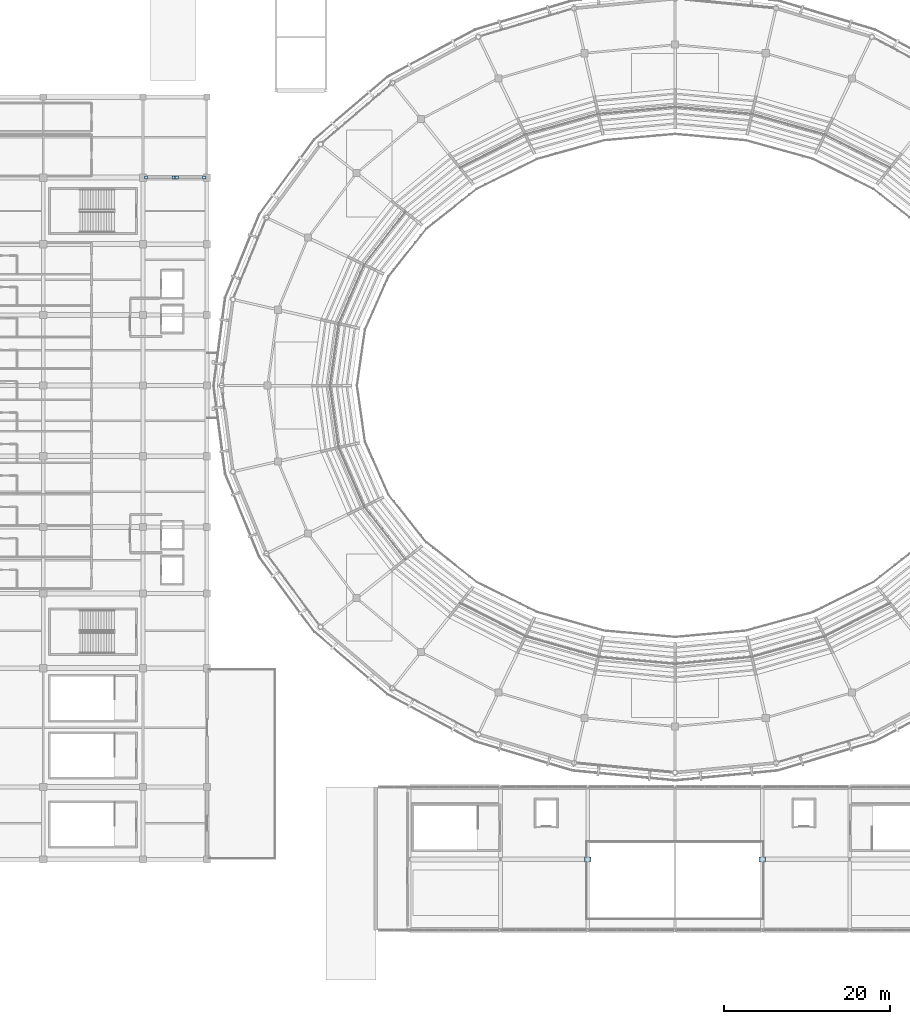
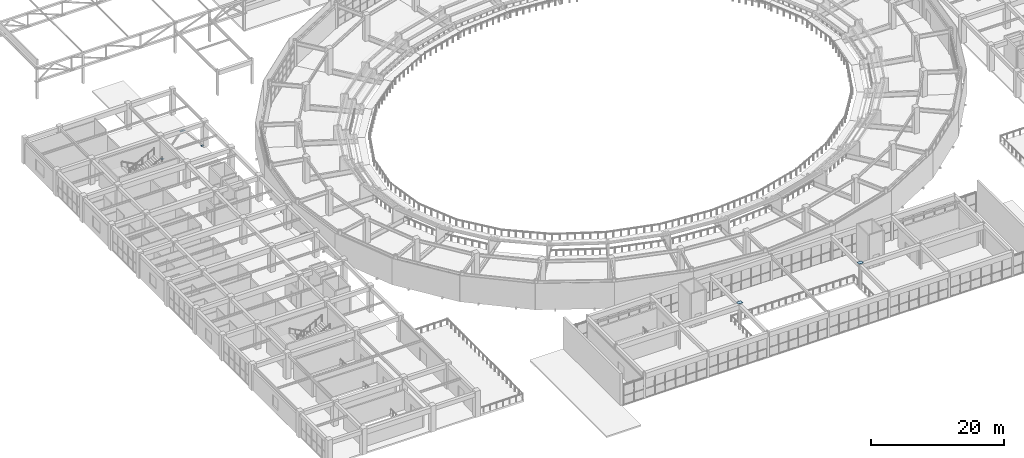
# One storey, part 89 of 122: 6 plates.
"""IFC4 building model written with IfcOpenShell, lengths in metres."""

from ifc_helpers import new_model, si_unit, direction, frame, origin, origin_2d, place, context, subcontext, project, spatial, rectangle, extrude, material, layer, layer_set, type_object, element, save


model = new_model("IFC4")

# Units and contexts
model_context = context("Model", 3, precision=1e-05, world=origin(), true_north=direction((0.0, 1.0)))
body_context = subcontext(model_context, "Body", "Model", "MODEL_VIEW")
ifc_project = project(units=[si_unit("LENGTHUNIT", "METRE"), si_unit("AREAUNIT", "SQUARE_METRE"), si_unit("VOLUMEUNIT", "CUBIC_METRE"), si_unit("PLANEANGLEUNIT", "RADIAN"), si_unit("MASSUNIT", "GRAM", prefix="KILO")], contexts=[model_context])

# Site, building, storey
site_placement = place(None, origin())
site = spatial("IfcSite", under=ifc_project, at=site_placement, CompositionType="ELEMENT")
building_placement = place(site_placement, origin())
building = spatial("IfcBuilding", under=site, at=building_placement, Name="Cuetzalor Civic Arena", CompositionType="ELEMENT")
storey_placement = place(building_placement, frame((0.0, 0.0, 16.199951171875)))
storey = spatial("IfcBuildingStorey", under=building, at=storey_placement, Name="L03", CompositionType="ELEMENT", Elevation=16.199951171875)

# Plates
ifc_material_1 = material(Name="Steel S355", Category="steel")
ifc_layer_1 = layer(ifc_material_1, 0.034912109375)
ifc_layer_set_1 = layer_set([ifc_layer_1], Name="Steel S355")
plate_type_1 = type_object("IfcPlateType", Name="NodalGussetPlate_GP05", PredefinedType="USERDEFINED", material=ifc_layer_set_1)
for number, where, z_axis, x_axis, name in (
    (1, (-10.5, -57.0, 4.7724609375), (0.0, 0.0, 1.0), (1.0, 0.0, 0.0), "Foyer Atrium Column Top Cap Plate 1"),
    (2, (10.5, -57.0, 4.7724609375), (0.0, 0.0, 1.0), (1.0, 0.0, 0.0), "Foyer Atrium Column Top Cap Plate 2"),
):
    element("IfcPlate", number, at=place(storey_placement, frame(where, z_axis=z_axis, x_axis=x_axis)), inside=storey, type_object=plate_type_1, Name=name, ObjectType="GUSSET PLATE", PredefinedType="USERDEFINED", context=body_context, shape_type="SweptSolid", body=[
        extrude(rectangle(XDim=0.760009765625, YDim=0.60009765625, at=origin_2d()), origin(), (0.0, 0.0, 1.0), 0.034912109375),
    ])
ifc_material_2 = material(Name="Steel S355", Category="steel")
ifc_layer_2 = layer(ifc_material_2, 0.02001953125)
ifc_layer_set_2 = layer_set([ifc_layer_2], Name="Steel S355")
plate_type_2 = type_object("IfcPlateType", Name="TubeEndCapPlate_CP01", PredefinedType="SHEET", material=ifc_layer_set_2)
for number, where, z_axis, x_axis, name in (
    (3, (-63.639892578125, 25.0, 0.14013671875), (0.0, 0.0, 1.0), (1.0, 0.0, 0.0), "Brace End Cap Plate 019-1"),
    (4, (-60.330078125, 25.0, 4.070068359375), (0.0, 0.0, 1.0), (1.0, 0.0, 0.0), "Brace End Cap Plate 019-2"),
    (5, (-56.659912109375, 25.0, 0.14013671875), (0.0, 0.0, 1.0), (1.0, 0.0, 0.0), "Brace End Cap Plate 020-1"),
    (6, (-59.969970703125, 25.0, 4.070068359375), (0.0, 0.0, 1.0), (1.0, 0.0, 0.0), "Brace End Cap Plate 020-2"),
):
    element("IfcPlate", number, at=place(storey_placement, frame(where, z_axis=z_axis, x_axis=x_axis)), inside=storey, type_object=plate_type_2, Name=name, PredefinedType="SHEET", context=body_context, shape_type="SweptSolid", body=[
        extrude(rectangle(XDim=0.419921875, YDim=0.360107421875, at=origin_2d()), origin(), (0.0, 0.0, 1.0), 0.02001953125),
    ])

save(model, "model.ifc")
